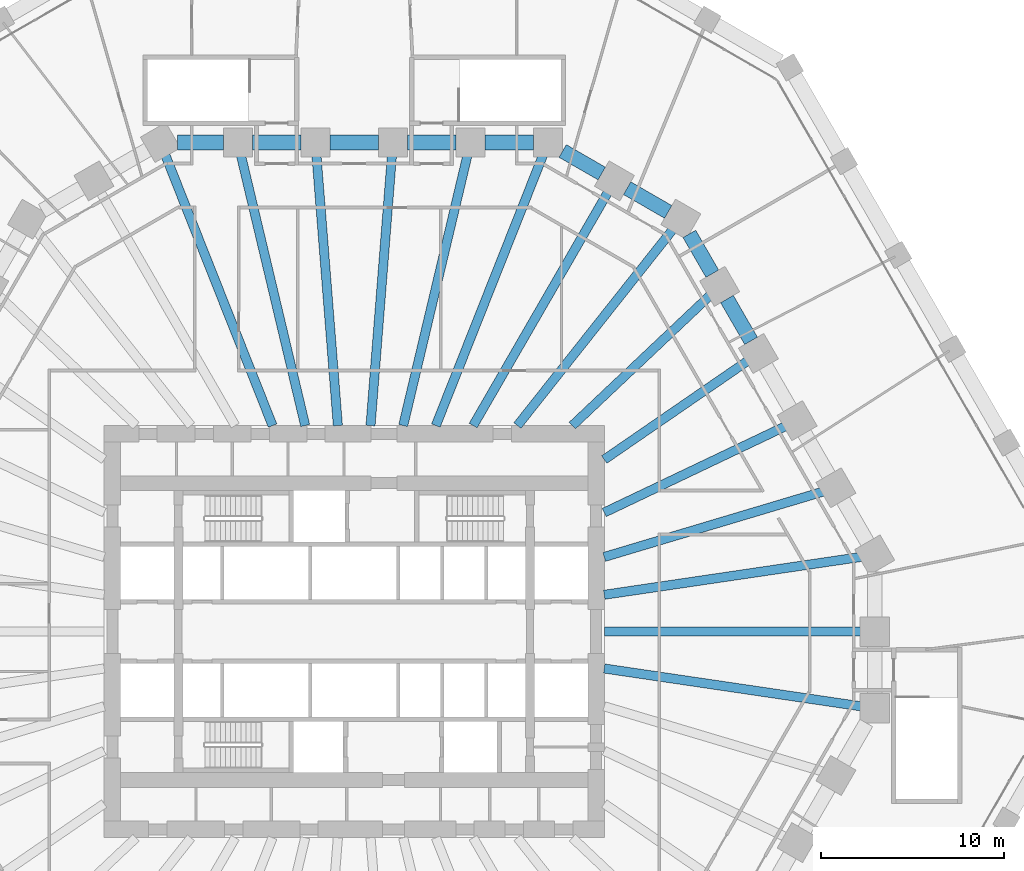
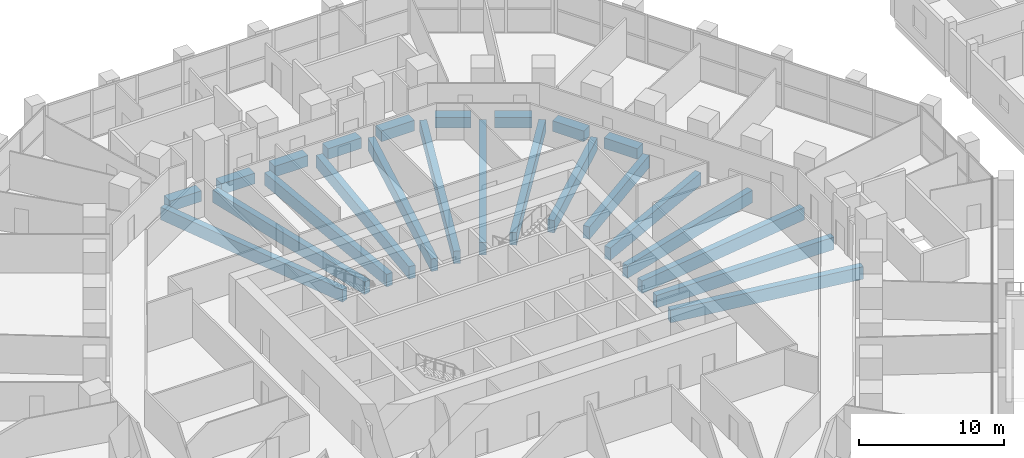
# One storey, part 8 of 38: 24 beams.
"""IFC4 building model written with IfcOpenShell, lengths in metres."""

from ifc_helpers import new_model, si_unit, direction, frame, origin, origin_2d, place, context, subcontext, project, spatial, rectangle, extrude, material, material_profile, profile_set, type_object, element, save


model = new_model("IFC4")

# Units and contexts
model_context = context("Model", 3, precision=1e-05, world=origin(), true_north=direction((0.0, 1.0)))
body_context = subcontext(model_context, "Body", "Model", "MODEL_VIEW")
ifc_project = project(units=[si_unit("LENGTHUNIT", "METRE"), si_unit("AREAUNIT", "SQUARE_METRE"), si_unit("VOLUMEUNIT", "CUBIC_METRE"), si_unit("PLANEANGLEUNIT", "RADIAN"), si_unit("MASSUNIT", "GRAM", prefix="KILO")], contexts=[model_context])

# Site, building, storey
site_placement = place(None, origin())
site = spatial("IfcSite", under=ifc_project, at=site_placement, CompositionType="ELEMENT")
building_placement = place(site_placement, origin())
building = spatial("IfcBuilding", under=site, at=building_placement, Name="Frailejon Research Tower", CompositionType="ELEMENT")
storey_placement = place(building_placement, frame((0.0, 0.0, 10.199951171875)))
storey = spatial("IfcBuildingStorey", under=building, at=storey_placement, Name="L02", CompositionType="ELEMENT", Elevation=10.199951171875)

# Beams
ifc_material_1 = material(Name="Concrete C60/75", Category="concrete")
ifc_material_profile_1 = material_profile(ifc_material_1, rectangle(XDim=0.5, YDim=1.050048828125, at=origin_2d()), Name="Girder 500x1050")
ifc_profile_set_1 = profile_set([ifc_material_profile_1], Name="Concrete C60/75")
beam_type_1 = type_object("IfcBeamType", Name="Girder 500x1050", PredefinedType="BEAM", material=ifc_profile_set_1)
beam_1_placement = place(storey_placement, frame((27.76123046875, -4.091552734375, -0.875), z_axis=(-0.989312272049, 0.145812305287, 0.0), x_axis=(-0.145812305287, -0.989312272049, 0.0)))
element("IfcBeam", 1, at=beam_1_placement, inside=storey, type_object=beam_type_1, Name="Girder 500x1050", PredefinedType="BEAM", context=body_context, shape_type="SweptSolid", body=[
    extrude(rectangle(XDim=0.5, YDim=1.050048828125, at=origin_2d()), origin(), (0.0, 0.0, 1.0), 14.263671875),
])
beam_2_placement = place(storey_placement, frame((27.7626953125, 0.0, -0.875), z_axis=(-1.0, 0.0, 0.0), x_axis=(0.0, -1.0, 0.0)))
element("IfcBeam", 2, at=beam_2_placement, inside=storey, type_object=beam_type_1, Name="Girder 500x1050", PredefinedType="BEAM", context=body_context, shape_type="SweptSolid", body=[
    extrude(rectangle(XDim=0.5, YDim=1.050048828125, at=origin_2d()), origin(), (0.0, 0.0, 1.0), 14.11279296875),
])
beam_3_placement = place(storey_placement, frame((27.7099609375, 4.083984375, -0.875), z_axis=(-0.989312392522, -0.145811487893, 0.0), x_axis=(0.145811487893, -0.989312392522, 0.0)))
element("IfcBeam", 3, at=beam_3_placement, inside=storey, type_object=beam_type_1, Name="Girder 500x1050", PredefinedType="BEAM", context=body_context, shape_type="SweptSolid", body=[
    extrude(rectangle(XDim=0.5, YDim=1.050048828125, at=origin_2d()), origin(), (0.0, 0.0, 1.0), 14.2119140625),
])
beam_4_placement = place(storey_placement, frame((25.652587890625, 7.66015625, -0.875), z_axis=(-0.958189747387, -0.286133549242, 0.0), x_axis=(0.286133549242, -0.958189747387, 0.0)))
element("IfcBeam", 4, at=beam_4_placement, inside=storey, type_object=beam_type_1, Name="Girder 500x1050", PredefinedType="BEAM", context=body_context, shape_type="SweptSolid", body=[
    extrude(rectangle(XDim=0.5, YDim=1.050048828125, at=origin_2d()), origin(), (0.0, 0.0, 1.0), 12.5263671875),
])
beam_5_placement = place(storey_placement, frame((23.591796875, 11.23681640625, -0.875), z_axis=(-0.902829780982, -0.429998123917, 0.0), x_axis=(0.429998123917, -0.902829780982, 0.0)))
element("IfcBeam", 5, at=beam_5_placement, inside=storey, type_object=beam_type_1, Name="Girder 500x1050", PredefinedType="BEAM", context=body_context, shape_type="SweptSolid", body=[
    extrude(rectangle(XDim=0.5, YDim=1.050048828125, at=origin_2d()), origin(), (0.0, 0.0, 1.0), 11.011962890625),
])
beam_6_placement = place(storey_placement, frame((21.52734375, 14.8125, -0.875), z_axis=(-0.823825821578, -0.566843025626, 0.0), x_axis=(0.566843025626, -0.823825821578, 0.0)))
element("IfcBeam", 6, at=beam_6_placement, inside=storey, type_object=beam_type_1, Name="Girder 500x1050", PredefinedType="BEAM", context=body_context, shape_type="SweptSolid", body=[
    extrude(rectangle(XDim=0.5, YDim=1.050048828125, at=origin_2d()), origin(), (0.0, 0.0, 1.0), 9.56201171875),
])
beam_7_placement = place(storey_placement, frame((19.460205078125, 18.3857421875, -0.875), z_axis=(-0.72688803019, -0.686755991285, 0.0), x_axis=(0.686755991285, -0.72688803019, 0.0)))
element("IfcBeam", 7, at=beam_7_placement, inside=storey, type_object=beam_type_1, Name="Girder 500x1050", PredefinedType="BEAM", context=body_context, shape_type="SweptSolid", body=[
    extrude(rectangle(XDim=0.5, YDim=1.050048828125, at=origin_2d()), origin(), (0.0, 0.0, 1.0), 10.390625),
])
beam_8_placement = place(storey_placement, frame((17.423828125, 21.99609375, -0.875), z_axis=(-0.62092187156, -0.783872457367, 0.0), x_axis=(0.783872457367, -0.62092187156, 0.0)))
element("IfcBeam", 8, at=beam_8_placement, inside=storey, type_object=beam_type_1, Name="Girder 500x1050", PredefinedType="BEAM", context=body_context, shape_type="SweptSolid", body=[
    extrude(rectangle(XDim=0.5, YDim=1.050048828125, at=origin_2d()), origin(), (0.0, 0.0, 1.0), 13.708984375),
])
beam_9_placement = place(storey_placement, frame((13.88134765625, 24.043212890625, -0.875), z_axis=(-0.500003328639, -0.866023481986, 0.0), x_axis=(0.866023481986, -0.500003328639, 0.0)))
element("IfcBeam", 9, at=beam_9_placement, inside=storey, type_object=beam_type_1, Name="Girder 500x1050", PredefinedType="BEAM", context=body_context, shape_type="SweptSolid", body=[
    extrude(rectangle(XDim=0.5, YDim=1.050048828125, at=origin_2d()), origin(), (0.0, 0.0, 1.0), 14.7724609375),
])
beam_10_placement = place(storey_placement, frame((10.318115234375, 26.03955078125, -0.875), z_axis=(-0.368382887996, -0.929674162183, 0.0), x_axis=(0.929674162183, -0.368382887996, 0.0)))
element("IfcBeam", 10, at=beam_10_placement, inside=storey, type_object=beam_type_1, Name="Girder 500x1050", PredefinedType="BEAM", context=body_context, shape_type="SweptSolid", body=[
    extrude(rectangle(XDim=0.5, YDim=1.050048828125, at=origin_2d()), origin(), (0.0, 0.0, 1.0), 15.908203125),
])
beam_11_placement = place(storey_placement, frame((6.1923828125, 26.0458984375, -0.875), z_axis=(-0.23129352639, -0.972884013976, 0.0), x_axis=(0.972884013976, -0.23129352639, 0.0)))
element("IfcBeam", 11, at=beam_11_placement, inside=storey, type_object=beam_type_1, Name="Girder 500x1050", PredefinedType="BEAM", context=body_context, shape_type="SweptSolid", body=[
    extrude(rectangle(XDim=0.5, YDim=1.050048828125, at=origin_2d()), origin(), (0.0, 0.0, 1.0), 15.208251953125),
])
for number, where, z_axis, x_axis, name in (
    (12, (2.064453125, 26.049560546875, -0.875), (-0.079001387797, -0.996874506007, 0.0), (0.996874506007, -0.079001387797, 0.0), "Girder 500x1050"),
    (13, (-2.064453125, 26.049560546875, -0.875), (0.079001387797, -0.996874506007, 0.0), (0.996874506007, 0.079001387797, 0.0), "Girder 500x1050"),
):
    element("IfcBeam", number, at=place(storey_placement, frame(where, z_axis=z_axis, x_axis=x_axis)), inside=storey, type_object=beam_type_1, Name=name, PredefinedType="BEAM", context=body_context, shape_type="SweptSolid", body=[
        extrude(rectangle(XDim=0.5, YDim=1.050048828125, at=origin_2d()), origin(), (0.0, 0.0, 1.0), 14.845947265625),
    ])
beam_12_placement = place(storey_placement, frame((-6.1923828125, 26.0458984375, -0.875), z_axis=(0.23129352639, -0.972884013976, 0.0), x_axis=(0.972884013976, 0.23129352639, 0.0)))
element("IfcBeam", 14, at=beam_12_placement, inside=storey, type_object=beam_type_1, Name="Girder 500x1050", PredefinedType="BEAM", context=body_context, shape_type="SweptSolid", body=[
    extrude(rectangle(XDim=0.5, YDim=1.050048828125, at=origin_2d()), origin(), (0.0, 0.0, 1.0), 15.208251953125),
])
beam_13_placement = place(storey_placement, frame((-10.33740234375, 26.087646484375, -0.875), z_axis=(0.368395300595, -0.929669243602, 0.0), x_axis=(0.929669243602, 0.368395300595, 0.0)))
element("IfcBeam", 15, at=beam_13_placement, inside=storey, type_object=beam_type_1, Name="Girder 500x1050", PredefinedType="BEAM", context=body_context, shape_type="SweptSolid", body=[
    extrude(rectangle(XDim=0.5, YDim=1.050048828125, at=origin_2d()), origin(), (0.0, 0.0, 1.0), 15.960205078125),
])
ifc_material_2 = material(Name="Concrete C60/75", Category="concrete")
ifc_material_profile_2 = material_profile(ifc_material_2, rectangle(XDim=0.800048828125, YDim=0.89990234375, at=origin_2d()), Name="Podium ring beam")
ifc_profile_set_2 = profile_set([ifc_material_profile_2], Name="Concrete C60/75")
beam_type_2 = type_object("IfcBeamType", Name="Podium ring beam", PredefinedType="BEAM", material=ifc_profile_set_2)
beam_14_placement = place(storey_placement, frame((21.664794921875, 15.875244140625, -0.800048828125), z_axis=(-0.499949948743, 0.866054298963, 0.0), x_axis=(-0.866054298963, -0.499949948743, 0.0)))
element("IfcBeam", 16, at=beam_14_placement, inside=storey, type_object=beam_type_2, Name="Podium ring beam", PredefinedType="BEAM", context=body_context, shape_type="SweptSolid", body=[
    extrude(rectangle(XDim=0.800048828125, YDim=0.89990234375, at=origin_2d()), origin(), (0.0, 0.0, 1.0), 2.632080078125),
])
beam_15_placement = place(storey_placement, frame((19.548828125, 19.540283203125, -0.800048828125), z_axis=(-0.499949964382, 0.866054289935, 0.0), x_axis=(-0.866054289935, -0.499949964382, 0.0)))
element("IfcBeam", 17, at=beam_15_placement, inside=storey, type_object=beam_type_2, Name="Podium ring beam", PredefinedType="BEAM", context=body_context, shape_type="SweptSolid", body=[
    extrude(rectangle(XDim=0.800048828125, YDim=0.89990234375, at=origin_2d()), origin(), (0.0, 0.0, 1.0), 2.508056640625),
])
beam_16_placement = place(storey_placement, frame((17.14013671875, 22.912353515625, -0.800048828125), z_axis=(-0.866004899711, 0.500035512416, 0.0), x_axis=(-0.500035512416, -0.866004899711, 0.0)))
element("IfcBeam", 18, at=beam_16_placement, inside=storey, type_object=beam_type_2, Name="Podium ring beam", PredefinedType="BEAM", context=body_context, shape_type="SweptSolid", body=[
    extrude(rectangle(XDim=0.800048828125, YDim=0.89990234375, at=origin_2d()), origin(), (0.0, 0.0, 1.0), 2.587646484375),
])
beam_17_placement = place(storey_placement, frame((13.513671875, 25.006103515625, -0.800048828125), z_axis=(-0.86602717807, 0.499996926835, 0.0), x_axis=(-0.499996926835, -0.86602717807, 0.0)))
element("IfcBeam", 19, at=beam_17_placement, inside=storey, type_object=beam_type_2, Name="Podium ring beam", PredefinedType="BEAM", context=body_context, shape_type="SweptSolid", body=[
    extrude(rectangle(XDim=0.800048828125, YDim=0.89990234375, at=origin_2d()), origin(), (0.0, 0.0, 1.0), 2.4638671875),
])
for number, where, z_axis, x_axis, name in (
    (20, (9.77978515625, 26.699951171875, -0.800048828125), (-1.0, 0.0, 0.0), (0.0, -1.0, 0.0), "Podium ring beam"),
    (21, (5.5478515625, 26.699951171875, -0.800048828125), (-1.0, 0.0, 0.0), (0.0, -1.0, 0.0), "Podium ring beam"),
    (22, (1.31591796875, 26.699951171875, -0.800048828125), (-1.0, 0.0, 0.0), (0.0, -1.0, 0.0), "Podium ring beam"),
    (23, (-2.916015625, 26.699951171875, -0.800048828125), (-1.0, 0.0, 0.0), (0.0, -1.0, 0.0), "Podium ring beam"),
):
    element("IfcBeam", number, at=place(storey_placement, frame(where, z_axis=z_axis, x_axis=x_axis)), inside=storey, type_object=beam_type_2, Name=name, PredefinedType="BEAM", context=body_context, shape_type="SweptSolid", body=[
        extrude(rectangle(XDim=0.800048828125, YDim=0.89990234375, at=origin_2d()), origin(), (0.0, 0.0, 1.0), 2.6318359375),
    ])
beam_18_placement = place(storey_placement, frame((-7.14794921875, 26.699951171875, -0.800048828125), z_axis=(-1.0, 0.0, 0.0), x_axis=(0.0, -1.0, 0.0)))
element("IfcBeam", 24, at=beam_18_placement, inside=storey, type_object=beam_type_2, Name="Podium ring beam", PredefinedType="BEAM", context=body_context, shape_type="SweptSolid", body=[
    extrude(rectangle(XDim=0.800048828125, YDim=0.89990234375, at=origin_2d()), origin(), (0.0, 0.0, 1.0), 2.508056640625),
])

save(model, "model.ifc")
